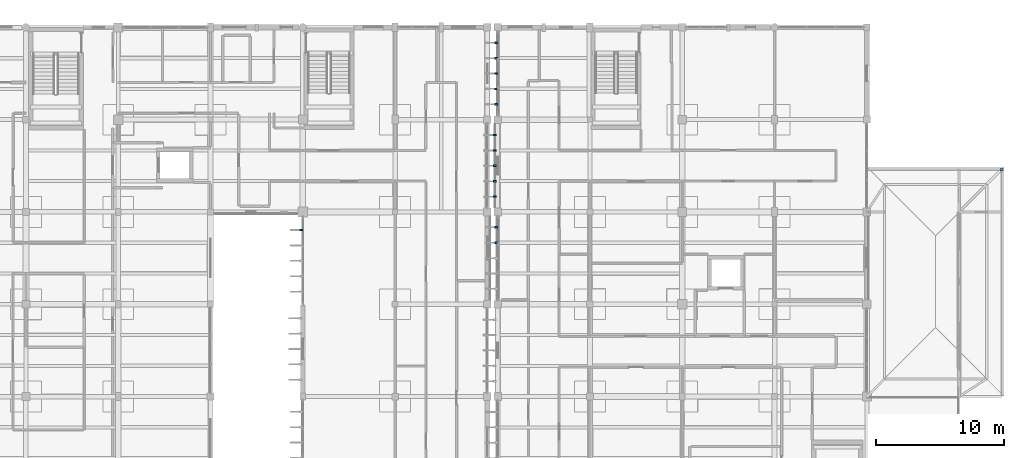
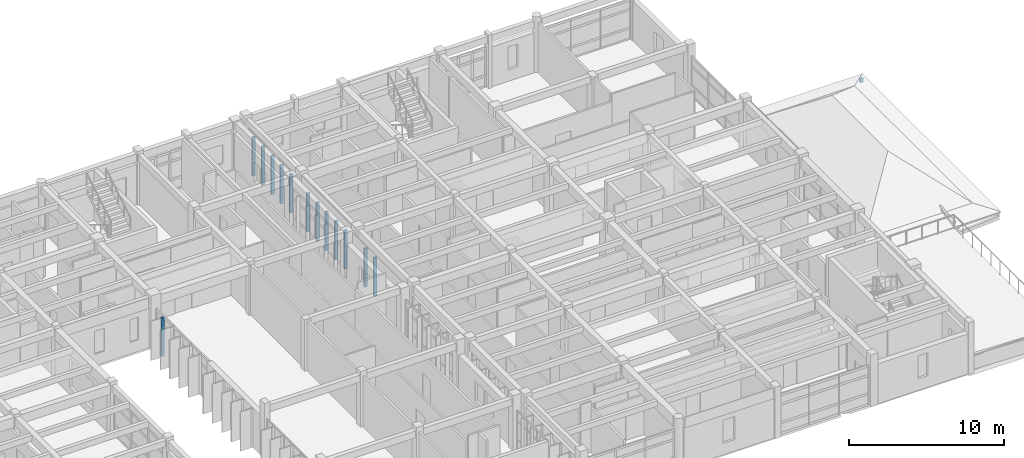
# One storey, part 48 of 55: 14 discrete accessories.
"""IFC4 building model written with IfcOpenShell, lengths in metres."""

from ifc_helpers import new_model, si_unit, direction, frame, origin, origin_2d, place, context, subcontext, project, spatial, rectangle, extrude, material, type_object, element, save


model = new_model("IFC4")

# Units and contexts
model_context = context("Model", 3, precision=1e-05, world=origin(), true_north=direction((0.0, 1.0)))
body_context = subcontext(model_context, "Body", "Model", "MODEL_VIEW")
ifc_project = project(units=[si_unit("LENGTHUNIT", "METRE"), si_unit("AREAUNIT", "SQUARE_METRE"), si_unit("VOLUMEUNIT", "CUBIC_METRE"), si_unit("PLANEANGLEUNIT", "RADIAN"), si_unit("MASSUNIT", "GRAM", prefix="KILO")], contexts=[model_context])

# Site, building, storey
site_placement = place(None, origin())
site = spatial("IfcSite", under=ifc_project, at=site_placement, CompositionType="ELEMENT")
building_placement = place(site_placement, origin())
building = spatial("IfcBuilding", under=site, at=building_placement, Name="Steenspoor Specialist Clinic", CompositionType="ELEMENT")
storey_placement = place(building_placement, frame((0.0, 0.0, 13.199951171875)))
storey = spatial("IfcBuildingStorey", under=building, at=storey_placement, Name="L03", CompositionType="ELEMENT", Elevation=13.199951171875)

# Discrete accessories
ifc_material = material(Name="Galvanised steel mounting bracket", Category="steel")
discrete_accessory_type = type_object("IfcDiscreteAccessoryType", Name="ACC-BRACKET-FIN", PredefinedType="BRACKET", material=ifc_material)
discrete_accessory_placement = place(storey_placement, frame((157.300048828125, 97.25, -0.39794921875), z_axis=(0.0, 0.0, 1.0), x_axis=(1.0, 0.0, 0.0)))
element("IfcDiscreteAccessory", 1, at=discrete_accessory_placement, inside=storey, type_object=discrete_accessory_type, Name="Eave Corner Hip Bracket 333", PredefinedType="BRACKET", context=body_context, shape_type="SweptSolid", body=[
    extrude(rectangle(XDim=0.219970703125, YDim=0.219970703125, at=origin_2d()), origin(), (0.0, 0.0, 1.0), 0.293212890625),
])
for number, where, z_axis, x_axis, name in (
    (2, (102.68994140625, 92.53759765625, 0.0498046875), (0.0, 0.0, 1.0), (-1.0, 0.0, 0.0), "Fin Mounting Bracket 107"),
    (3, (117.889892578125, 91.550048828125, 0.0498046875), (0.0, 0.0, 1.0), (-1.0, 0.0, 0.0), "Fin Mounting Bracket 198"),
    (4, (117.889892578125, 92.75, 0.0498046875), (0.0, 0.0, 1.0), (-1.0, 0.0, 0.0), "Fin Mounting Bracket 199"),
    (5, (117.77490234375, 95.14990234375, 0.0498046875), (0.0, 0.0, 1.0), (-1.0, 0.0, 0.0), "Fin Mounting Bracket 200"),
    (6, (117.77490234375, 96.35009765625, 0.0498046875), (0.0, 0.0, 1.0), (-1.0, 0.0, 0.0), "Fin Mounting Bracket 201"),
    (7, (117.77490234375, 97.550048828125, 0.0498046875), (0.0, 0.0, 1.0), (-1.0, 0.0, 0.0), "Fin Mounting Bracket 202"),
    (8, (117.77490234375, 98.75, 0.0498046875), (0.0, 0.0, 1.0), (-1.0, 0.0, 0.0), "Fin Mounting Bracket 203"),
    (9, (117.77490234375, 99.949951171875, 0.0498046875), (0.0, 0.0, 1.0), (-1.0, 0.0, 0.0), "Fin Mounting Bracket 204"),
    (10, (117.889892578125, 102.35009765625, 0.0498046875), (0.0, 0.0, 1.0), (-1.0, 0.0, 0.0), "Fin Mounting Bracket 205"),
    (11, (117.889892578125, 103.550048828125, 0.0498046875), (0.0, 0.0, 1.0), (-1.0, 0.0, 0.0), "Fin Mounting Bracket 206"),
    (12, (117.889892578125, 104.75, 0.0498046875), (0.0, 0.0, 1.0), (-1.0, 0.0, 0.0), "Fin Mounting Bracket 207"),
    (13, (117.889892578125, 105.949951171875, 0.0498046875), (0.0, 0.0, 1.0), (-1.0, 0.0, 0.0), "Fin Mounting Bracket 208"),
    (14, (117.889892578125, 107.14990234375, 0.0498046875), (0.0, 0.0, 1.0), (-1.0, 0.0, 0.0), "Fin Mounting Bracket 209"),
):
    element("IfcDiscreteAccessory", number, at=place(storey_placement, frame(where, z_axis=z_axis, x_axis=x_axis)), inside=storey, type_object=discrete_accessory_type, Name=name, PredefinedType="BRACKET", context=body_context, shape_type="SweptSolid", body=[
        extrude(rectangle(XDim=0.219970703125, YDim=0.139892578125, at=origin_2d()), origin(), (0.0, 0.0, 1.0), 3.030029296875),
    ])

save(model, "model.ifc")
